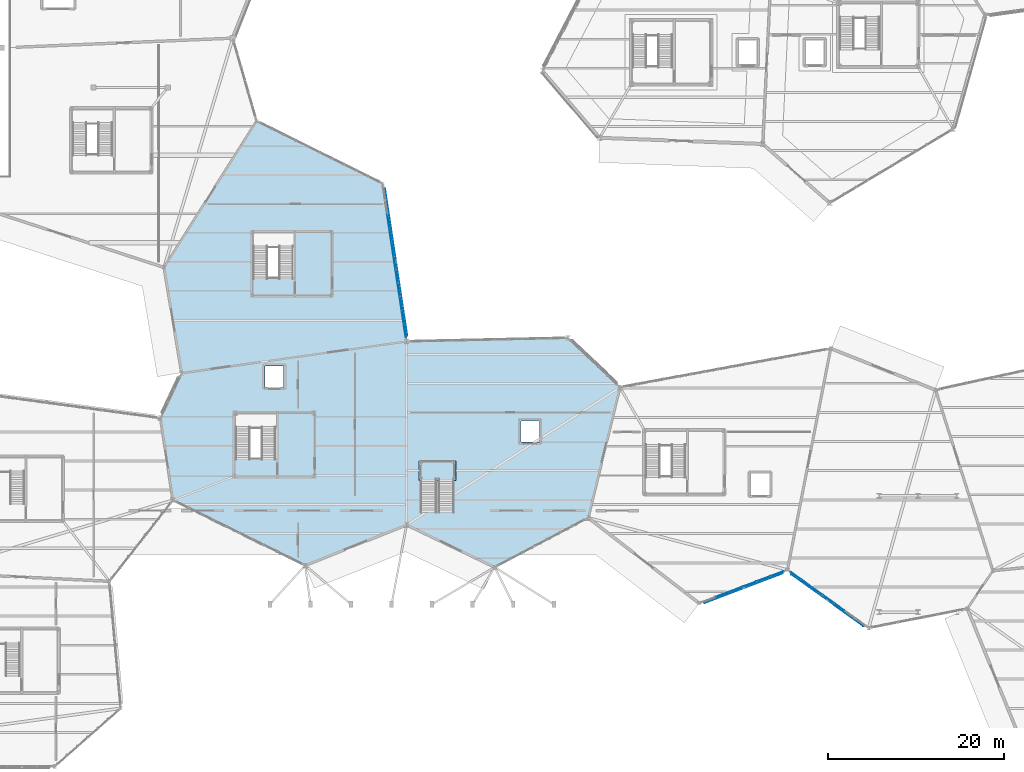
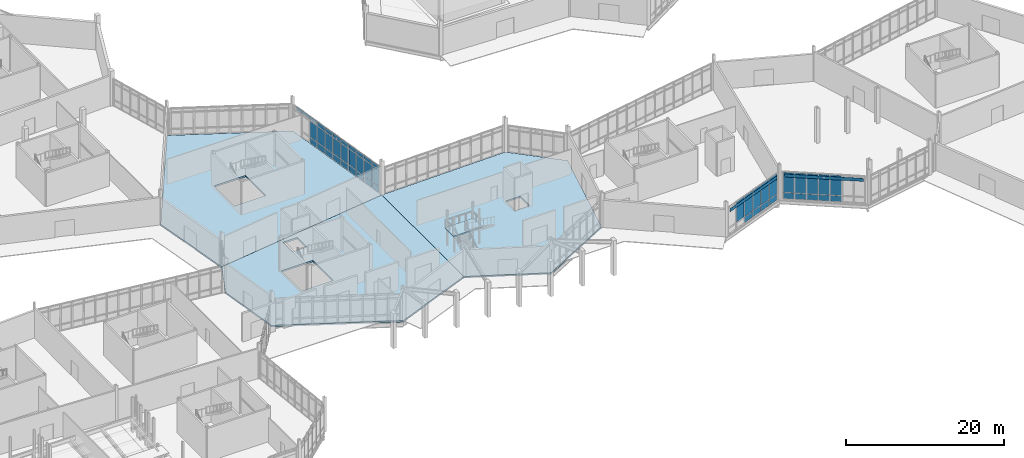
# One storey, part 72 of 113: 58 plates, 4 slabs, 4 elements without a shape of their own.
"""IFC4 building model written with IfcOpenShell, lengths in metres."""

from ifc_helpers import new_model, si_unit, direction, frame, origin, origin_2d, place, context, subcontext, project, spatial, polyline, rectangle, outline, extrude, material, layer, layer_set, type_object, element, aggregate, save


model = new_model("IFC4")

# Units and contexts
model_context = context("Model", 3, precision=1e-05, world=origin(), true_north=direction((0.0, 1.0)))
body_context = subcontext(model_context, "Body", "Model", "MODEL_VIEW")
ifc_project = project(units=[si_unit("LENGTHUNIT", "METRE"), si_unit("AREAUNIT", "SQUARE_METRE"), si_unit("VOLUMEUNIT", "CUBIC_METRE"), si_unit("PLANEANGLEUNIT", "RADIAN"), si_unit("MASSUNIT", "GRAM", prefix="KILO")], contexts=[model_context])

# Site, building, storey
site_placement = place(None, origin())
site = spatial("IfcSite", under=ifc_project, at=site_placement, CompositionType="ELEMENT")
building_placement = place(site_placement, origin())
building = spatial("IfcBuilding", under=site, at=building_placement, Name="Tameran Prism Museum", CompositionType="ELEMENT")
storey_placement = place(building_placement, origin())
storey = spatial("IfcBuildingStorey", under=building, at=storey_placement, Name="L00", CompositionType="ELEMENT", Elevation=0.0)

# Curtain wall, plates
ifc_material_1 = material(Name="Anodised Aluminium 6063-T6 and Cyclone Solar Glass", Category="aluminium")
curtain_wall_type_1 = type_object("IfcCurtainWallType", Name="CW-FAC-1734x422", PredefinedType="USERDEFINED", material=ifc_material_1)
curtain_wall_1_placement = place(storey_placement, origin())
curtain_wall_1 = element("IfcCurtainWall", 1, at=curtain_wall_1_placement, inside=storey, type_object=curtain_wall_type_1, Name="Unitised Curtain Wall CW-033", ObjectType="UNITISED CURTAIN WALL", PredefinedType="USERDEFINED")
ifc_material_2 = material(Name="Low-E Laminated Solar Glass", Category="glass")
ifc_layer_1 = layer(ifc_material_2, 0.028076171875)
ifc_layer_set_1 = layer_set([ifc_layer_1])
plate_type_1 = type_object("IfcPlateType", Name="CW-PNL-G28", PredefinedType="CURTAIN_PANEL", material=ifc_layer_set_1)
plate_1_placement = place(storey_placement, frame((75.43994140625, 61.8564453125, 0.0751953125), z_axis=(0.0, 0.0, 1.0), x_axis=(0.149166532852, -0.988812088052, 0.0)))
plate_1 = element("IfcPlate", 2, at=plate_1_placement, type_object=plate_type_1, Name="CW-033 panel 3.1", PredefinedType="CURTAIN_PANEL", context=body_context, shape_type="SweptSolid", body=[
    extrude(rectangle(XDim=1.501708984375, YDim=0.028076171875, at=origin_2d()), origin(), (0.0, 0.0, 1.0), 0.887451171875),
])
plate_2_placement = place(storey_placement, frame((75.43994140625, 61.8564453125, 1.03759765625), z_axis=(0.0, 0.0, 1.0), x_axis=(0.149166532852, -0.988812088052, 0.0)))
plate_2 = element("IfcPlate", 3, at=plate_2_placement, type_object=plate_type_1, Name="CW-033 panel 3.2", PredefinedType="CURTAIN_PANEL", context=body_context, shape_type="SweptSolid", body=[
    extrude(rectangle(XDim=1.501708984375, YDim=0.028076171875, at=origin_2d()), origin(), (0.0, 0.0, 1.0), 2.465087890625),
])
plate_3_placement = place(storey_placement, frame((75.675048828125, 60.297607421875, 0.0751953125), z_axis=(0.0, 0.0, 1.0), x_axis=(0.149166532852, -0.988812088052, 0.0)))
plate_3 = element("IfcPlate", 4, at=plate_3_placement, type_object=plate_type_1, Name="CW-033 panel 4.1", PredefinedType="CURTAIN_PANEL", context=body_context, shape_type="SweptSolid", body=[
    extrude(rectangle(XDim=1.501708984375, YDim=0.028076171875, at=origin_2d()), origin(), (0.0, 0.0, 1.0), 0.887451171875),
])
plate_4_placement = place(storey_placement, frame((75.675048828125, 60.297607421875, 1.03759765625), z_axis=(0.0, 0.0, 1.0), x_axis=(0.149166532852, -0.988812088052, 0.0)))
plate_4 = element("IfcPlate", 5, at=plate_4_placement, type_object=plate_type_1, Name="CW-033 panel 4.2", PredefinedType="CURTAIN_PANEL", context=body_context, shape_type="SweptSolid", body=[
    extrude(rectangle(XDim=1.501708984375, YDim=0.028076171875, at=origin_2d()), origin(), (0.0, 0.0, 1.0), 2.465087890625),
])
plate_5_placement = place(storey_placement, frame((75.675048828125, 60.297607421875, 3.57763671875), z_axis=(0.0, 0.0, 1.0), x_axis=(0.149166532852, -0.988812088052, 0.0)))
plate_5 = element("IfcPlate", 6, at=plate_5_placement, type_object=plate_type_1, Name="CW-033 panel 4.3", PredefinedType="CURTAIN_PANEL", context=body_context, shape_type="SweptSolid", body=[
    extrude(rectangle(XDim=1.501708984375, YDim=0.028076171875, at=origin_2d()), origin(), (0.0, 0.0, 1.0), 0.5673828125),
])
plate_6_placement = place(storey_placement, frame((75.910400390625, 58.738525390625, 0.0751953125), z_axis=(0.0, 0.0, 1.0), x_axis=(0.149166532852, -0.988812088052, 0.0)))
plate_6 = element("IfcPlate", 7, at=plate_6_placement, type_object=plate_type_1, Name="CW-033 panel 5.1", PredefinedType="CURTAIN_PANEL", context=body_context, shape_type="SweptSolid", body=[
    extrude(rectangle(XDim=1.501708984375, YDim=0.028076171875, at=origin_2d()), origin(), (0.0, 0.0, 1.0), 0.887451171875),
])
plate_7_placement = place(storey_placement, frame((75.910400390625, 58.738525390625, 1.03759765625), z_axis=(0.0, 0.0, 1.0), x_axis=(0.149166532852, -0.988812088052, 0.0)))
plate_7 = element("IfcPlate", 8, at=plate_7_placement, type_object=plate_type_1, Name="CW-033 panel 5.2", PredefinedType="CURTAIN_PANEL", context=body_context, shape_type="SweptSolid", body=[
    extrude(rectangle(XDim=1.501708984375, YDim=0.028076171875, at=origin_2d()), origin(), (0.0, 0.0, 1.0), 2.465087890625),
])
plate_8_placement = place(storey_placement, frame((75.910400390625, 58.738525390625, 3.57763671875), z_axis=(0.0, 0.0, 1.0), x_axis=(0.149166532852, -0.988812088052, 0.0)))
plate_8 = element("IfcPlate", 9, at=plate_8_placement, type_object=plate_type_1, Name="CW-033 panel 5.3", PredefinedType="CURTAIN_PANEL", context=body_context, shape_type="SweptSolid", body=[
    extrude(rectangle(XDim=1.501708984375, YDim=0.028076171875, at=origin_2d()), origin(), (0.0, 0.0, 1.0), 0.5673828125),
])
plate_9_placement = place(storey_placement, frame((76.1455078125, 57.179443359375, 0.0751953125), z_axis=(0.0, 0.0, 1.0), x_axis=(0.149166532852, -0.988812088052, 0.0)))
plate_9 = element("IfcPlate", 10, at=plate_9_placement, type_object=plate_type_1, Name="CW-033 panel 6.1", PredefinedType="CURTAIN_PANEL", context=body_context, shape_type="SweptSolid", body=[
    extrude(rectangle(XDim=1.501708984375, YDim=0.028076171875, at=origin_2d()), origin(), (0.0, 0.0, 1.0), 0.887451171875),
])
plate_10_placement = place(storey_placement, frame((76.1455078125, 57.179443359375, 1.03759765625), z_axis=(0.0, 0.0, 1.0), x_axis=(0.149166532852, -0.988812088052, 0.0)))
plate_10 = element("IfcPlate", 11, at=plate_10_placement, type_object=plate_type_1, Name="CW-033 panel 6.2", PredefinedType="CURTAIN_PANEL", context=body_context, shape_type="SweptSolid", body=[
    extrude(rectangle(XDim=1.501708984375, YDim=0.028076171875, at=origin_2d()), origin(), (0.0, 0.0, 1.0), 2.465087890625),
])
plate_11_placement = place(storey_placement, frame((76.1455078125, 57.179443359375, 3.57763671875), z_axis=(0.0, 0.0, 1.0), x_axis=(0.149166532852, -0.988812088052, 0.0)))
plate_11 = element("IfcPlate", 12, at=plate_11_placement, type_object=plate_type_1, Name="CW-033 panel 6.3", PredefinedType="CURTAIN_PANEL", context=body_context, shape_type="SweptSolid", body=[
    extrude(rectangle(XDim=1.501708984375, YDim=0.028076171875, at=origin_2d()), origin(), (0.0, 0.0, 1.0), 0.5673828125),
])
plate_12_placement = place(storey_placement, frame((76.380615234375, 55.62060546875, 0.0751953125), z_axis=(0.0, 0.0, 1.0), x_axis=(0.149166532852, -0.988812088052, 0.0)))
plate_12 = element("IfcPlate", 13, at=plate_12_placement, type_object=plate_type_1, Name="CW-033 panel 7.1", PredefinedType="CURTAIN_PANEL", context=body_context, shape_type="SweptSolid", body=[
    extrude(rectangle(XDim=1.501708984375, YDim=0.028076171875, at=origin_2d()), origin(), (0.0, 0.0, 1.0), 0.887451171875),
])
plate_13_placement = place(storey_placement, frame((76.380615234375, 55.62060546875, 1.03759765625), z_axis=(0.0, 0.0, 1.0), x_axis=(0.149166532852, -0.988812088052, 0.0)))
plate_13 = element("IfcPlate", 14, at=plate_13_placement, type_object=plate_type_1, Name="CW-033 panel 7.2", PredefinedType="CURTAIN_PANEL", context=body_context, shape_type="SweptSolid", body=[
    extrude(rectangle(XDim=1.501708984375, YDim=0.028076171875, at=origin_2d()), origin(), (0.0, 0.0, 1.0), 2.465087890625),
])
plate_14_placement = place(storey_placement, frame((76.380615234375, 55.62060546875, 3.57763671875), z_axis=(0.0, 0.0, 1.0), x_axis=(0.149166532852, -0.988812088052, 0.0)))
plate_14 = element("IfcPlate", 15, at=plate_14_placement, type_object=plate_type_1, Name="CW-033 panel 7.3", PredefinedType="CURTAIN_PANEL", context=body_context, shape_type="SweptSolid", body=[
    extrude(rectangle(XDim=1.501708984375, YDim=0.028076171875, at=origin_2d()), origin(), (0.0, 0.0, 1.0), 0.5673828125),
])
plate_15_placement = place(storey_placement, frame((76.615966796875, 54.0615234375, 0.0751953125), z_axis=(0.0, 0.0, 1.0), x_axis=(0.149166532852, -0.988812088052, 0.0)))
plate_15 = element("IfcPlate", 16, at=plate_15_placement, type_object=plate_type_1, Name="CW-033 panel 8.1", PredefinedType="CURTAIN_PANEL", context=body_context, shape_type="SweptSolid", body=[
    extrude(rectangle(XDim=1.501708984375, YDim=0.028076171875, at=origin_2d()), origin(), (0.0, 0.0, 1.0), 0.887451171875),
])
plate_16_placement = place(storey_placement, frame((76.615966796875, 54.0615234375, 1.03759765625), z_axis=(0.0, 0.0, 1.0), x_axis=(0.149166532852, -0.988812088052, 0.0)))
plate_16 = element("IfcPlate", 17, at=plate_16_placement, type_object=plate_type_1, Name="CW-033 panel 8.2", PredefinedType="CURTAIN_PANEL", context=body_context, shape_type="SweptSolid", body=[
    extrude(rectangle(XDim=1.501708984375, YDim=0.028076171875, at=origin_2d()), origin(), (0.0, 0.0, 1.0), 2.465087890625),
])
plate_17_placement = place(storey_placement, frame((76.615966796875, 54.0615234375, 3.57763671875), z_axis=(0.0, 0.0, 1.0), x_axis=(0.149166532852, -0.988812088052, 0.0)))
plate_17 = element("IfcPlate", 18, at=plate_17_placement, type_object=plate_type_1, Name="CW-033 panel 8.3", PredefinedType="CURTAIN_PANEL", context=body_context, shape_type="SweptSolid", body=[
    extrude(rectangle(XDim=1.501708984375, YDim=0.028076171875, at=origin_2d()), origin(), (0.0, 0.0, 1.0), 0.5673828125),
])
plate_18_placement = place(storey_placement, frame((76.85107421875, 52.50244140625, 0.0751953125), z_axis=(0.0, 0.0, 1.0), x_axis=(0.149166532852, -0.988812088052, 0.0)))
plate_18 = element("IfcPlate", 19, at=plate_18_placement, type_object=plate_type_1, Name="CW-033 panel 9.1", PredefinedType="CURTAIN_PANEL", context=body_context, shape_type="SweptSolid", body=[
    extrude(rectangle(XDim=1.501708984375, YDim=0.028076171875, at=origin_2d()), origin(), (0.0, 0.0, 1.0), 0.887451171875),
])
plate_19_placement = place(storey_placement, frame((76.85107421875, 52.50244140625, 1.03759765625), z_axis=(0.0, 0.0, 1.0), x_axis=(0.149166532852, -0.988812088052, 0.0)))
plate_19 = element("IfcPlate", 20, at=plate_19_placement, type_object=plate_type_1, Name="CW-033 panel 9.2", PredefinedType="CURTAIN_PANEL", context=body_context, shape_type="SweptSolid", body=[
    extrude(rectangle(XDim=1.501708984375, YDim=0.028076171875, at=origin_2d()), origin(), (0.0, 0.0, 1.0), 2.465087890625),
])
plate_20_placement = place(storey_placement, frame((76.85107421875, 52.50244140625, 3.57763671875), z_axis=(0.0, 0.0, 1.0), x_axis=(0.149166532852, -0.988812088052, 0.0)))
plate_20 = element("IfcPlate", 21, at=plate_20_placement, type_object=plate_type_1, Name="CW-033 panel 9.3", PredefinedType="CURTAIN_PANEL", context=body_context, shape_type="SweptSolid", body=[
    extrude(rectangle(XDim=1.501708984375, YDim=0.028076171875, at=origin_2d()), origin(), (0.0, 0.0, 1.0), 0.5673828125),
])
plate_21_placement = place(storey_placement, frame((77.086181640625, 50.943603515625, 0.0751953125), z_axis=(0.0, 0.0, 1.0), x_axis=(0.149166532852, -0.988812088052, 0.0)))
plate_21 = element("IfcPlate", 22, at=plate_21_placement, type_object=plate_type_1, Name="CW-033 panel 10.1", PredefinedType="CURTAIN_PANEL", context=body_context, shape_type="SweptSolid", body=[
    extrude(rectangle(XDim=1.501708984375, YDim=0.028076171875, at=origin_2d()), origin(), (0.0, 0.0, 1.0), 0.887451171875),
])
plate_22_placement = place(storey_placement, frame((77.086181640625, 50.943603515625, 1.03759765625), z_axis=(0.0, 0.0, 1.0), x_axis=(0.149166532852, -0.988812088052, 0.0)))
plate_22 = element("IfcPlate", 23, at=plate_22_placement, type_object=plate_type_1, Name="CW-033 panel 10.2", PredefinedType="CURTAIN_PANEL", context=body_context, shape_type="SweptSolid", body=[
    extrude(rectangle(XDim=1.501708984375, YDim=0.028076171875, at=origin_2d()), origin(), (0.0, 0.0, 1.0), 2.465087890625),
])
plate_23_placement = place(storey_placement, frame((77.086181640625, 50.943603515625, 3.57763671875), z_axis=(0.0, 0.0, 1.0), x_axis=(0.149166532852, -0.988812088052, 0.0)))
plate_23 = element("IfcPlate", 24, at=plate_23_placement, type_object=plate_type_1, Name="CW-033 panel 10.3", PredefinedType="CURTAIN_PANEL", context=body_context, shape_type="SweptSolid", body=[
    extrude(rectangle(XDim=1.501708984375, YDim=0.028076171875, at=origin_2d()), origin(), (0.0, 0.0, 1.0), 0.5673828125),
])
plate_24_placement = place(storey_placement, frame((77.318603515625, 49.403076171875, 0.0751953125), z_axis=(0.0, 0.0, 1.0), x_axis=(0.149166532852, -0.988812088052, 0.0)))
plate_24 = element("IfcPlate", 25, at=plate_24_placement, type_object=plate_type_1, Name="CW-033 panel 11.1", PredefinedType="CURTAIN_PANEL", context=body_context, shape_type="SweptSolid", body=[
    extrude(rectangle(XDim=1.464111328125, YDim=0.028076171875, at=origin_2d()), origin(), (0.0, 0.0, 1.0), 0.887451171875),
])
plate_25_placement = place(storey_placement, frame((77.318603515625, 49.403076171875, 1.03759765625), z_axis=(0.0, 0.0, 1.0), x_axis=(0.149166532852, -0.988812088052, 0.0)))
plate_25 = element("IfcPlate", 26, at=plate_25_placement, type_object=plate_type_1, Name="CW-033 panel 11.2", PredefinedType="CURTAIN_PANEL", context=body_context, shape_type="SweptSolid", body=[
    extrude(rectangle(XDim=1.464111328125, YDim=0.028076171875, at=origin_2d()), origin(), (0.0, 0.0, 1.0), 2.465087890625),
])
plate_26_placement = place(storey_placement, frame((77.318603515625, 49.403076171875, 3.57763671875), z_axis=(0.0, 0.0, 1.0), x_axis=(0.149166532852, -0.988812088052, 0.0)))
plate_26 = element("IfcPlate", 27, at=plate_26_placement, type_object=plate_type_1, Name="CW-033 panel 11.3", PredefinedType="CURTAIN_PANEL", context=body_context, shape_type="SweptSolid", body=[
    extrude(rectangle(XDim=1.464111328125, YDim=0.028076171875, at=origin_2d()), origin(), (0.0, 0.0, 1.0), 0.5673828125),
])
aggregate(curtain_wall_1, [plate_1, plate_2, plate_3, plate_4, plate_5, plate_6, plate_7, plate_8, plate_9, plate_10, plate_11, plate_12, plate_13, plate_14, plate_15, plate_16, plate_17, plate_18, plate_19, plate_20, plate_21, plate_22, plate_23, plate_24, plate_25, plate_26])

ifc_material_3 = material(Name="Anodised Aluminium 6063-T6 and Cyclone Solar Glass", Category="aluminium")
curtain_wall_type_2 = type_object("IfcCurtainWallType", Name="CW-FAC-994x422", PredefinedType="USERDEFINED", material=ifc_material_3)
curtain_wall_2_placement = place(storey_placement, origin())
curtain_wall_2 = element("IfcCurtainWall", 28, at=curtain_wall_2_placement, inside=storey, type_object=curtain_wall_type_2, Name="Unitised Curtain Wall CW-035", ObjectType="UNITISED CURTAIN WALL", PredefinedType="USERDEFINED")
plate_27_placement = place(storey_placement, frame((119.527587890625, 21.85498046875, 0.06494140625), z_axis=(0.0, 0.0, 1.0), x_axis=(-0.934756849189, -0.355288098442, 0.0)))
plate_27 = element("IfcPlate", 29, at=plate_27_placement, type_object=plate_type_1, Name="CW-035 panel 1.1", PredefinedType="CURTAIN_PANEL", context=body_context, shape_type="SweptSolid", body=[
    extrude(rectangle(XDim=1.558837890625, YDim=0.028076171875, at=origin_2d()), origin(), (0.0, 0.0, 1.0), 0.902587890625),
])
plate_28_placement = place(storey_placement, frame((119.527587890625, 21.85498046875, 1.032470703125), z_axis=(0.0, 0.0, 1.0), x_axis=(-0.934756849189, -0.355288098442, 0.0)))
plate_28 = element("IfcPlate", 30, at=plate_28_placement, type_object=plate_type_1, Name="CW-035 panel 1.2", PredefinedType="CURTAIN_PANEL", context=body_context, shape_type="SweptSolid", body=[
    extrude(rectangle(XDim=1.558837890625, YDim=0.028076171875, at=origin_2d()), origin(), (0.0, 0.0, 1.0), 2.47509765625),
])
plate_29_placement = place(storey_placement, frame((119.527587890625, 21.85498046875, 3.572509765625), z_axis=(0.0, 0.0, 1.0), x_axis=(-0.934756849189, -0.355288098442, 0.0)))
plate_29 = element("IfcPlate", 31, at=plate_29_placement, type_object=plate_type_1, Name="CW-035 panel 1.3", PredefinedType="CURTAIN_PANEL", context=body_context, shape_type="SweptSolid", body=[
    extrude(rectangle(XDim=1.558837890625, YDim=0.028076171875, at=origin_2d()), origin(), (0.0, 0.0, 1.0), 0.58251953125),
])
plate_30_placement = place(storey_placement, frame((117.994384765625, 21.272216796875, 0.06494140625), z_axis=(0.0, 0.0, 1.0), x_axis=(-0.934756849189, -0.355288098442, 0.0)))
plate_30 = element("IfcPlate", 32, at=plate_30_placement, type_object=plate_type_1, Name="CW-035 panel 2.1", PredefinedType="CURTAIN_PANEL", context=body_context, shape_type="SweptSolid", body=[
    extrude(rectangle(XDim=1.59130859375, YDim=0.028076171875, at=origin_2d()), origin(), (0.0, 0.0, 1.0), 0.902587890625),
])
plate_31_placement = place(storey_placement, frame((117.994384765625, 21.272216796875, 1.032470703125), z_axis=(0.0, 0.0, 1.0), x_axis=(-0.934756849189, -0.355288098442, 0.0)))
plate_31 = element("IfcPlate", 33, at=plate_31_placement, type_object=plate_type_1, Name="CW-035 panel 2.2", PredefinedType="CURTAIN_PANEL", context=body_context, shape_type="SweptSolid", body=[
    extrude(rectangle(XDim=1.59130859375, YDim=0.028076171875, at=origin_2d()), origin(), (0.0, 0.0, 1.0), 2.47509765625),
])
plate_32_placement = place(storey_placement, frame((117.994384765625, 21.272216796875, 3.572509765625), z_axis=(0.0, 0.0, 1.0), x_axis=(-0.934756849189, -0.355288098442, 0.0)))
plate_32 = element("IfcPlate", 34, at=plate_32_placement, type_object=plate_type_1, Name="CW-035 panel 2.3", PredefinedType="CURTAIN_PANEL", context=body_context, shape_type="SweptSolid", body=[
    extrude(rectangle(XDim=1.59130859375, YDim=0.028076171875, at=origin_2d()), origin(), (0.0, 0.0, 1.0), 0.58251953125),
])
plate_33_placement = place(storey_placement, frame((116.446044921875, 20.683837890625, 0.06494140625), z_axis=(0.0, 0.0, 1.0), x_axis=(-0.934756849189, -0.355288098442, 0.0)))
plate_33 = element("IfcPlate", 35, at=plate_33_placement, type_object=plate_type_1, Name="CW-035 panel 3.1", PredefinedType="CURTAIN_PANEL", context=body_context, shape_type="SweptSolid", body=[
    extrude(rectangle(XDim=1.59130859375, YDim=0.028076171875, at=origin_2d()), origin(), (0.0, 0.0, 1.0), 0.902587890625),
])
plate_34_placement = place(storey_placement, frame((116.446044921875, 20.683837890625, 1.032470703125), z_axis=(0.0, 0.0, 1.0), x_axis=(-0.934756849189, -0.355288098442, 0.0)))
plate_34 = element("IfcPlate", 36, at=plate_34_placement, type_object=plate_type_1, Name="CW-035 panel 3.2", PredefinedType="CURTAIN_PANEL", context=body_context, shape_type="SweptSolid", body=[
    extrude(rectangle(XDim=1.59130859375, YDim=0.028076171875, at=origin_2d()), origin(), (0.0, 0.0, 1.0), 2.47509765625),
])
plate_35_placement = place(storey_placement, frame((116.446044921875, 20.683837890625, 3.572509765625), z_axis=(0.0, 0.0, 1.0), x_axis=(-0.934756849189, -0.355288098442, 0.0)))
plate_35 = element("IfcPlate", 37, at=plate_35_placement, type_object=plate_type_1, Name="CW-035 panel 3.3", PredefinedType="CURTAIN_PANEL", context=body_context, shape_type="SweptSolid", body=[
    extrude(rectangle(XDim=1.59130859375, YDim=0.028076171875, at=origin_2d()), origin(), (0.0, 0.0, 1.0), 0.58251953125),
])
plate_36_placement = place(storey_placement, frame((114.89794921875, 20.09521484375, 0.06494140625), z_axis=(0.0, 0.0, 1.0), x_axis=(-0.934756849189, -0.355288098442, 0.0)))
plate_36 = element("IfcPlate", 38, at=plate_36_placement, type_object=plate_type_1, Name="CW-035 panel 4.1", PredefinedType="CURTAIN_PANEL", context=body_context, shape_type="SweptSolid", body=[
    extrude(rectangle(XDim=1.59130859375, YDim=0.028076171875, at=origin_2d()), origin(), (0.0, 0.0, 1.0), 0.902587890625),
])
plate_37_placement = place(storey_placement, frame((114.89794921875, 20.09521484375, 1.032470703125), z_axis=(0.0, 0.0, 1.0), x_axis=(-0.934756849189, -0.355288098442, 0.0)))
plate_37 = element("IfcPlate", 39, at=plate_37_placement, type_object=plate_type_1, Name="CW-035 panel 4.2", PredefinedType="CURTAIN_PANEL", context=body_context, shape_type="SweptSolid", body=[
    extrude(rectangle(XDim=1.59130859375, YDim=0.028076171875, at=origin_2d()), origin(), (0.0, 0.0, 1.0), 2.47509765625),
])
plate_38_placement = place(storey_placement, frame((114.89794921875, 20.09521484375, 3.572509765625), z_axis=(0.0, 0.0, 1.0), x_axis=(-0.934756849189, -0.355288098442, 0.0)))
plate_38 = element("IfcPlate", 40, at=plate_38_placement, type_object=plate_type_1, Name="CW-035 panel 4.3", PredefinedType="CURTAIN_PANEL", context=body_context, shape_type="SweptSolid", body=[
    extrude(rectangle(XDim=1.59130859375, YDim=0.028076171875, at=origin_2d()), origin(), (0.0, 0.0, 1.0), 0.58251953125),
])
plate_39_placement = place(storey_placement, frame((113.349609375, 19.5068359375, 1.032470703125), z_axis=(0.0, 0.0, 1.0), x_axis=(-0.934756849189, -0.355288098442, 0.0)))
plate_39 = element("IfcPlate", 41, at=plate_39_placement, type_object=plate_type_1, Name="CW-035 panel 5.2", PredefinedType="CURTAIN_PANEL", context=body_context, shape_type="SweptSolid", body=[
    extrude(rectangle(XDim=1.59130859375, YDim=0.028076171875, at=origin_2d()), origin(), (0.0, 0.0, 1.0), 2.47509765625),
])
plate_40_placement = place(storey_placement, frame((113.349609375, 19.5068359375, 3.572509765625), z_axis=(0.0, 0.0, 1.0), x_axis=(-0.934756849189, -0.355288098442, 0.0)))
plate_40 = element("IfcPlate", 42, at=plate_40_placement, type_object=plate_type_1, Name="CW-035 panel 5.3", PredefinedType="CURTAIN_PANEL", context=body_context, shape_type="SweptSolid", body=[
    extrude(rectangle(XDim=1.59130859375, YDim=0.028076171875, at=origin_2d()), origin(), (0.0, 0.0, 1.0), 0.58251953125),
])
aggregate(curtain_wall_2, [plate_27, plate_28, plate_29, plate_30, plate_31, plate_32, plate_33, plate_34, plate_35, plate_36, plate_37, plate_38, plate_39, plate_40])

ifc_material_4 = material(Name="Anodised Aluminium 6063-T6 and Cyclone Solar Glass", Category="aluminium")
curtain_wall_type_3 = type_object("IfcCurtainWallType", Name="CW-FAC-1056x422", PredefinedType="USERDEFINED", material=ifc_material_4)
curtain_wall_3_placement = place(storey_placement, origin())
curtain_wall_3 = element("IfcCurtainWall", 43, at=curtain_wall_3_placement, inside=storey, type_object=curtain_wall_type_3, Name="Unitised Curtain Wall CW-037", ObjectType="UNITISED CURTAIN WALL", PredefinedType="USERDEFINED")
ifc_material_5 = material(Name="Cyclone Laminated Solar Glass", Category="glass")
ifc_layer_2 = layer(ifc_material_5, 0.031982421875)
ifc_layer_set_2 = layer_set([ifc_layer_2])
plate_type_2 = type_object("IfcPlateType", Name="CW-PNL-G32", PredefinedType="CURTAIN_PANEL", material=ifc_layer_set_2)
plate_41_placement = place(storey_placement, frame((126.550537109375, 18.10302734375, 0.0751953125), z_axis=(0.0, 0.0, 1.0), x_axis=(-0.812554821293, 0.582884776259, 0.0)))
plate_41 = element("IfcPlate", 44, at=plate_41_placement, type_object=plate_type_2, Name="CW-037 panel 3.1", PredefinedType="CURTAIN_PANEL", context=body_context, shape_type="SweptSolid", body=[
    extrude(rectangle(XDim=1.43408203125, YDim=0.031982421875, at=origin_2d()), origin(), (0.0, 0.0, 1.0), 0.887451171875),
])
plate_42_placement = place(storey_placement, frame((126.550537109375, 18.10302734375, 1.03759765625), z_axis=(0.0, 0.0, 1.0), x_axis=(-0.812554821293, 0.582884776259, 0.0)))
plate_42 = element("IfcPlate", 45, at=plate_42_placement, type_object=plate_type_2, Name="CW-037 panel 3.2", PredefinedType="CURTAIN_PANEL", context=body_context, shape_type="SweptSolid", body=[
    extrude(rectangle(XDim=1.43408203125, YDim=0.031982421875, at=origin_2d()), origin(), (0.0, 0.0, 1.0), 2.465087890625),
])
plate_43_placement = place(storey_placement, frame((126.550537109375, 18.10302734375, 3.57763671875), z_axis=(0.0, 0.0, 1.0), x_axis=(-0.812554821293, 0.582884776259, 0.0)))
plate_43 = element("IfcPlate", 46, at=plate_43_placement, type_object=plate_type_2, Name="CW-037 panel 3.3", PredefinedType="CURTAIN_PANEL", context=body_context, shape_type="SweptSolid", body=[
    extrude(rectangle(XDim=1.43408203125, YDim=0.031982421875, at=origin_2d()), origin(), (0.0, 0.0, 1.0), 0.5673828125),
])
plate_44_placement = place(storey_placement, frame((125.324462890625, 18.982421875, 0.0751953125), z_axis=(0.0, 0.0, 1.0), x_axis=(-0.812554821293, 0.582884776259, 0.0)))
plate_44 = element("IfcPlate", 47, at=plate_44_placement, type_object=plate_type_2, Name="CW-037 panel 4.1", PredefinedType="CURTAIN_PANEL", context=body_context, shape_type="SweptSolid", body=[
    extrude(rectangle(XDim=1.43408203125, YDim=0.031982421875, at=origin_2d()), origin(), (0.0, 0.0, 1.0), 0.887451171875),
])
plate_45_placement = place(storey_placement, frame((125.324462890625, 18.982421875, 1.03759765625), z_axis=(0.0, 0.0, 1.0), x_axis=(-0.812554821293, 0.582884776259, 0.0)))
plate_45 = element("IfcPlate", 48, at=plate_45_placement, type_object=plate_type_2, Name="CW-037 panel 4.2", PredefinedType="CURTAIN_PANEL", context=body_context, shape_type="SweptSolid", body=[
    extrude(rectangle(XDim=1.43408203125, YDim=0.031982421875, at=origin_2d()), origin(), (0.0, 0.0, 1.0), 2.465087890625),
])
plate_46_placement = place(storey_placement, frame((125.324462890625, 18.982421875, 3.57763671875), z_axis=(0.0, 0.0, 1.0), x_axis=(-0.812554821293, 0.582884776259, 0.0)))
plate_46 = element("IfcPlate", 49, at=plate_46_placement, type_object=plate_type_2, Name="CW-037 panel 4.3", PredefinedType="CURTAIN_PANEL", context=body_context, shape_type="SweptSolid", body=[
    extrude(rectangle(XDim=1.43408203125, YDim=0.031982421875, at=origin_2d()), origin(), (0.0, 0.0, 1.0), 0.5673828125),
])
plate_47_placement = place(storey_placement, frame((124.098388671875, 19.862060546875, 0.0751953125), z_axis=(0.0, 0.0, 1.0), x_axis=(-0.812554821293, 0.582884776259, 0.0)))
plate_47 = element("IfcPlate", 50, at=plate_47_placement, type_object=plate_type_2, Name="CW-037 panel 5.1", PredefinedType="CURTAIN_PANEL", context=body_context, shape_type="SweptSolid", body=[
    extrude(rectangle(XDim=1.43408203125, YDim=0.031982421875, at=origin_2d()), origin(), (0.0, 0.0, 1.0), 0.887451171875),
])
plate_48_placement = place(storey_placement, frame((124.098388671875, 19.862060546875, 1.03759765625), z_axis=(0.0, 0.0, 1.0), x_axis=(-0.812554821293, 0.582884776259, 0.0)))
plate_48 = element("IfcPlate", 51, at=plate_48_placement, type_object=plate_type_2, Name="CW-037 panel 5.2", PredefinedType="CURTAIN_PANEL", context=body_context, shape_type="SweptSolid", body=[
    extrude(rectangle(XDim=1.43408203125, YDim=0.031982421875, at=origin_2d()), origin(), (0.0, 0.0, 1.0), 2.465087890625),
])
plate_49_placement = place(storey_placement, frame((124.098388671875, 19.862060546875, 3.57763671875), z_axis=(0.0, 0.0, 1.0), x_axis=(-0.812554821293, 0.582884776259, 0.0)))
plate_49 = element("IfcPlate", 52, at=plate_49_placement, type_object=plate_type_2, Name="CW-037 panel 5.3", PredefinedType="CURTAIN_PANEL", context=body_context, shape_type="SweptSolid", body=[
    extrude(rectangle(XDim=1.43408203125, YDim=0.031982421875, at=origin_2d()), origin(), (0.0, 0.0, 1.0), 0.5673828125),
])
plate_50_placement = place(storey_placement, frame((122.872314453125, 20.74169921875, 0.0751953125), z_axis=(0.0, 0.0, 1.0), x_axis=(-0.812554821293, 0.582884776259, 0.0)))
plate_50 = element("IfcPlate", 53, at=plate_50_placement, type_object=plate_type_2, Name="CW-037 panel 6.1", PredefinedType="CURTAIN_PANEL", context=body_context, shape_type="SweptSolid", body=[
    extrude(rectangle(XDim=1.43408203125, YDim=0.031982421875, at=origin_2d()), origin(), (0.0, 0.0, 1.0), 0.887451171875),
])
plate_51_placement = place(storey_placement, frame((122.872314453125, 20.74169921875, 1.03759765625), z_axis=(0.0, 0.0, 1.0), x_axis=(-0.812554821293, 0.582884776259, 0.0)))
plate_51 = element("IfcPlate", 54, at=plate_51_placement, type_object=plate_type_2, Name="CW-037 panel 6.2", PredefinedType="CURTAIN_PANEL", context=body_context, shape_type="SweptSolid", body=[
    extrude(rectangle(XDim=1.43408203125, YDim=0.031982421875, at=origin_2d()), origin(), (0.0, 0.0, 1.0), 2.465087890625),
])
plate_52_placement = place(storey_placement, frame((122.872314453125, 20.74169921875, 3.57763671875), z_axis=(0.0, 0.0, 1.0), x_axis=(-0.812554821293, 0.582884776259, 0.0)))
plate_52 = element("IfcPlate", 55, at=plate_52_placement, type_object=plate_type_2, Name="CW-037 panel 6.3", PredefinedType="CURTAIN_PANEL", context=body_context, shape_type="SweptSolid", body=[
    extrude(rectangle(XDim=1.43408203125, YDim=0.031982421875, at=origin_2d()), origin(), (0.0, 0.0, 1.0), 0.5673828125),
])
plate_53_placement = place(storey_placement, frame((121.661376953125, 21.6103515625, 0.0751953125), z_axis=(0.0, 0.0, 1.0), x_axis=(-0.812554821293, 0.582884776259, 0.0)))
plate_53 = element("IfcPlate", 56, at=plate_53_placement, type_object=plate_type_2, Name="CW-037 panel 7.1", PredefinedType="CURTAIN_PANEL", context=body_context, shape_type="SweptSolid", body=[
    extrude(rectangle(XDim=1.396484375, YDim=0.031982421875, at=origin_2d()), origin(), (0.0, 0.0, 1.0), 0.887451171875),
])
plate_54_placement = place(storey_placement, frame((121.661376953125, 21.6103515625, 1.03759765625), z_axis=(0.0, 0.0, 1.0), x_axis=(-0.812554821293, 0.582884776259, 0.0)))
plate_54 = element("IfcPlate", 57, at=plate_54_placement, type_object=plate_type_2, Name="CW-037 panel 7.2", PredefinedType="CURTAIN_PANEL", context=body_context, shape_type="SweptSolid", body=[
    extrude(rectangle(XDim=1.396484375, YDim=0.031982421875, at=origin_2d()), origin(), (0.0, 0.0, 1.0), 2.465087890625),
])
plate_55_placement = place(storey_placement, frame((121.661376953125, 21.6103515625, 3.57763671875), z_axis=(0.0, 0.0, 1.0), x_axis=(-0.812554821293, 0.582884776259, 0.0)))
plate_55 = element("IfcPlate", 58, at=plate_55_placement, type_object=plate_type_2, Name="CW-037 panel 7.3", PredefinedType="CURTAIN_PANEL", context=body_context, shape_type="SweptSolid", body=[
    extrude(rectangle(XDim=1.396484375, YDim=0.031982421875, at=origin_2d()), origin(), (0.0, 0.0, 1.0), 0.5673828125),
])
aggregate(curtain_wall_3, [plate_41, plate_42, plate_43, plate_44, plate_45, plate_46, plate_47, plate_48, plate_49, plate_50, plate_51, plate_52, plate_53, plate_54, plate_55])

# Plates
ifc_material_6 = material(Name="Perforated Marine Aluminium Storm Screen", Category="aluminium")
ifc_layer_3 = layer(ifc_material_6, 0.011962890625)
ifc_layer_set_3 = layer_set([ifc_layer_3])
plate_type_3 = type_object("IfcPlateType", Name="CW-PNL-P12", PredefinedType="SHEET", material=ifc_layer_set_3)
plate_56_placement = place(storey_placement, frame((76.322998046875, 57.20703125, 3.530029296875), z_axis=(0.0, 0.0, 1.0), x_axis=(0.149190193254, -0.988808518489, 0.0)))
element("IfcPlate", 59, at=plate_56_placement, inside=storey, type_object=plate_type_3, Name="Cyclone Perforated Sun-Breaker SS-007", PredefinedType="SHEET", context=body_context, shape_type="SweptSolid", body=[
    extrude(rectangle(XDim=16.843017578125, YDim=0.02001953125, at=origin_2d()), origin(), (0.0, 0.0, 1.0), 0.47998046875),
])
plate_57_placement = place(storey_placement, frame((115.736083984375, 20.220947265625, 3.530029296875), z_axis=(0.0, 0.0, 1.0), x_axis=(-0.934763684301, -0.355270114859, 0.0)))
element("IfcPlate", 60, at=plate_57_placement, inside=storey, type_object=plate_type_3, Name="Cyclone Perforated Sun-Breaker SS-008", PredefinedType="SHEET", context=body_context, shape_type="SweptSolid", body=[
    extrude(rectangle(XDim=9.43798828125, YDim=0.02001953125, at=origin_2d()), origin(), (0.0, 0.0, 1.0), 0.47998046875),
])
plate_58_placement = place(storey_placement, frame((125.219970703125, 18.8369140625, 3.530029296875), z_axis=(0.0, 0.0, 1.0), x_axis=(-0.812490717577, 0.582974127943, 0.0)))
element("IfcPlate", 61, at=plate_58_placement, inside=storey, type_object=plate_type_3, Name="Cyclone Perforated Sun-Breaker SS-009", PredefinedType="SHEET", context=body_context, shape_type="SweptSolid", body=[
    extrude(rectangle(XDim=10.06201171875, YDim=0.02001953125, at=origin_2d()), origin(), (0.0, 0.0, 1.0), 0.47998046875),
])

# Slabs
ifc_material_7 = material(Name="Concrete N40 (40 MPa)", Category="concrete")
ifc_layer_4 = layer(ifc_material_7, 0.239990234375)
ifc_layer_set_4 = layer_set([ifc_layer_4])
slab_type_1 = type_object("IfcSlabType", Name="SL-FLR-240", PredefinedType="FLOOR", material=ifc_layer_set_4)
slab_1_placement = place(storey_placement, frame((0.0, 0.0, -0.239990234375)))
element("IfcSlab", 62, at=slab_1_placement, inside=storey, type_object=slab_type_1, Name="Floor Slab FS-P05-L00", PredefinedType="FLOOR", context=body_context, shape_type="SweptSolid", body=[
    extrude(outline(polyline([(52.0, 44.60009765625), (77.5, 48.199951171875), (77.5, 27.39990234375), (66.0, 22.800048828125), (51.0, 30.199951171875), (49.60009765625, 39.5), (52.0, 44.60009765625)]), holes=[polyline([(62.719970703125, 34.93994140625), (62.719970703125, 40.050048828125), (58.10009765625, 40.050048828125), (58.10009765625, 34.93994140625), (62.719970703125, 34.93994140625)]), polyline([(63.550048828125, 43.0), (63.550048828125, 45.39990234375), (61.449951171875, 45.39990234375), (61.449951171875, 43.0), (63.550048828125, 43.0)])]), origin(), (0.0, 0.0, 1.0), 0.239990234375),
])
slab_2_placement = place(storey_placement, frame((0.0, 0.0, -0.239990234375)))
element("IfcSlab", 63, at=slab_2_placement, inside=storey, type_object=slab_type_1, Name="Floor Slab FS-P06-L00", PredefinedType="FLOOR", context=body_context, shape_type="SweptSolid", body=[
    extrude(outline(polyline([(77.5, 48.199951171875), (95.800048828125, 48.60009765625), (101.699951171875, 43.0), (98.10009765625, 28.199951171875), (87.5, 22.60009765625), (77.5, 27.39990234375), (77.5, 48.199951171875)]), holes=[polyline([(92.550048828125, 39.199951171875), (90.449951171875, 39.199951171875), (90.449951171875, 36.800048828125), (92.550048828125, 36.800048828125), (92.550048828125, 39.199951171875)])]), origin(), (0.0, 0.0, 1.0), 0.239990234375),
])
slab_3_placement = place(storey_placement, frame((0.0, 0.0, -0.239990234375)))
element("IfcSlab", 64, at=slab_3_placement, inside=storey, type_object=slab_type_1, Name="Floor Slab FS-P07-L00", PredefinedType="FLOOR", context=body_context, shape_type="SweptSolid", body=[
    extrude(outline(polyline([(60.5, 73.199951171875), (74.800048828125, 66.10009765625), (77.5, 48.199951171875), (52.0, 44.60009765625), (50.0, 56.60009765625), (60.5, 73.199951171875)]), holes=[polyline([(64.719970703125, 60.550048828125), (60.10009765625, 60.550048828125), (60.10009765625, 55.43994140625), (64.719970703125, 55.43994140625), (64.719970703125, 60.550048828125)])]), origin(), (0.0, 0.0, 1.0), 0.239990234375),
])

# Stair, slab
ifc_material_8 = material(Name="Steel Grade 350 (350 MPa)", Category="steel")
stair_type = type_object("IfcStairType", Name="ST-ATR-54", PredefinedType="STRAIGHT_RUN_STAIR", material=ifc_material_8)
stair_placement = place(storey_placement, origin())
stair = element("IfcStair", 65, at=stair_placement, inside=storey, type_object=stair_type, Name="Atrium Feature Stair ST-AT1", PredefinedType="STRAIGHT_RUN_STAIR")
ifc_material_9 = material(Name="Steel Grade 350 (350 MPa)", Category="steel")
ifc_layer_5 = layer(ifc_material_9, 0.195068359375)
ifc_layer_set_5 = layer_set([ifc_layer_5])
slab_type_2 = type_object("IfcSlabType", Name="SL-LND-195", PredefinedType="LANDING", material=ifc_layer_set_5)
slab_4_placement = place(storey_placement, frame((0.0, 0.0, 2.5048828125)))
slab_4 = element("IfcSlab", 66, at=slab_4_placement, type_object=slab_type_2, Name="ST-AT1 landing 1", PredefinedType="LANDING", context=body_context, shape_type="SweptSolid", body=[
    extrude(outline(polyline([(78.89990234375, 32.409912109375), (83.10009765625, 32.409912109375), (83.10009765625, 34.639892578125), (78.89990234375, 34.639892578125), (78.89990234375, 32.409912109375)])), origin(), (0.0, 0.0, 1.0), 0.195068359375),
])
aggregate(stair, [slab_4])

save(model, "model.ifc")
